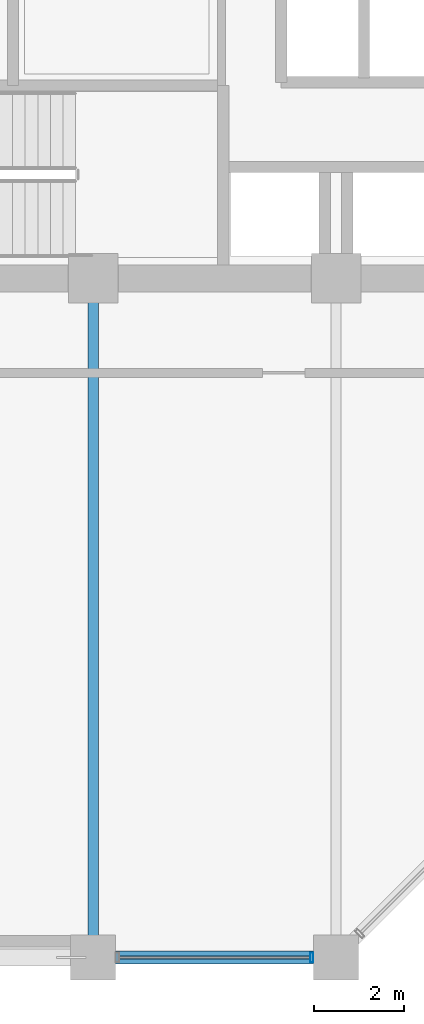
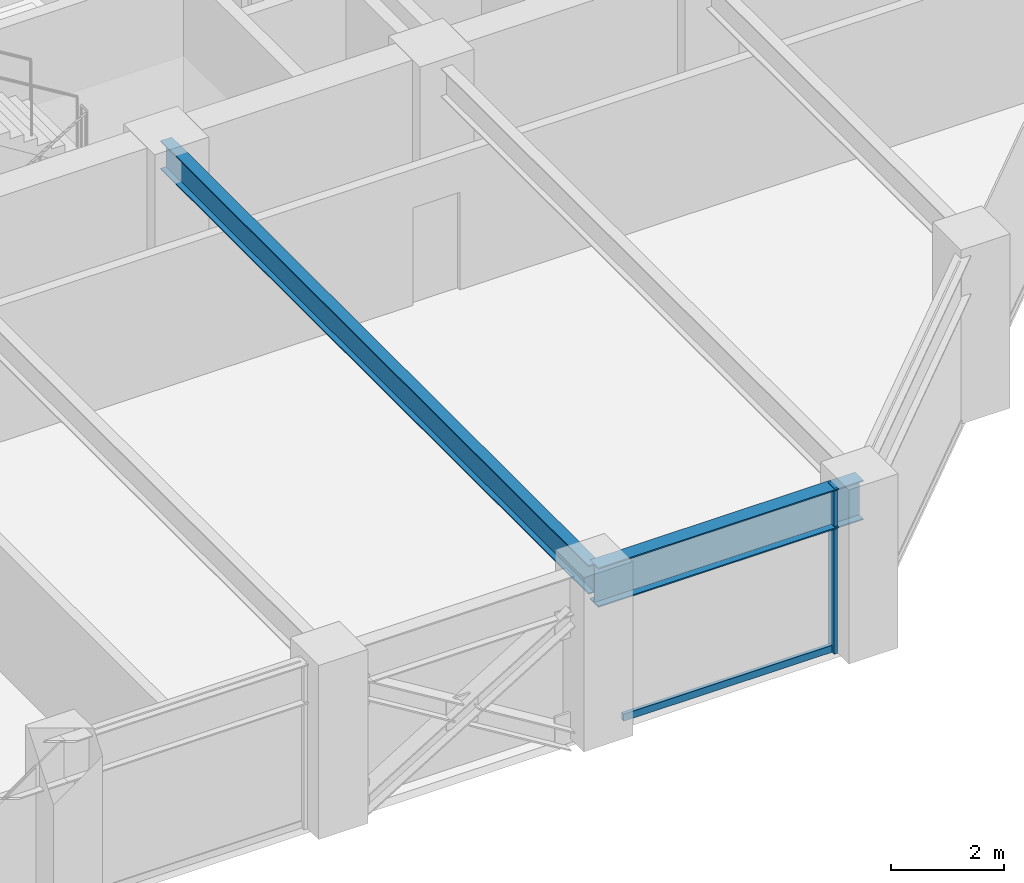
# One storey, part 5 of 23: 2 beams, 2 members, 1 element without a shape of its own.
"""IFC4 building model written with IfcOpenShell, lengths in metres."""

from ifc_helpers import new_model, si_unit, direction, frame, origin, origin_2d, place, context, subcontext, project, spatial, hollow_rectangle, i_section, extrude, material, layer, layer_set, material_profile, profile_set, type_object, element, aggregate, save


model = new_model("IFC4")

# Units and contexts
model_context = context("Model", 3, precision=1e-05, world=origin(), true_north=direction((0.0, 1.0)))
body_context = subcontext(model_context, "Body", "Model", "MODEL_VIEW")
ifc_project = project(units=[si_unit("LENGTHUNIT", "METRE"), si_unit("AREAUNIT", "SQUARE_METRE"), si_unit("VOLUMEUNIT", "CUBIC_METRE"), si_unit("PLANEANGLEUNIT", "RADIAN"), si_unit("MASSUNIT", "GRAM", prefix="KILO")], contexts=[model_context])

# Site, building, storey
site_placement = place(None, origin())
site = spatial("IfcSite", under=ifc_project, at=site_placement, CompositionType="ELEMENT")
building_placement = place(site_placement, origin())
building = spatial("IfcBuilding", under=site, at=building_placement, Name="Surkhivell Harbour Commons", CompositionType="ELEMENT")
storey_placement = place(building_placement, frame((0.0, 0.0, 132.0)))
storey = spatial("IfcBuildingStorey", under=building, at=storey_placement, Name="L34", CompositionType="ELEMENT", Elevation=132.0)

# Beams
ifc_material_1 = material(Name="Steel S355", Category="steel")
ifc_material_profile_1 = material_profile(ifc_material_1, i_section(OverallWidth=0.22998046875, OverallDepth=0.616943359375, WebThickness=0.01318359375, FlangeThickness=0.022216796875, at=origin_2d()), Name="UB610x229x140")
ifc_profile_set_1 = profile_set([ifc_material_profile_1], Name="Steel S355")
beam_type_1 = type_object("IfcBeamType", Name="BM-GRD-610B", PredefinedType="BEAM", material=ifc_profile_set_1)
beam_1_placement = place(storey_placement, frame((-5.39990234375, -25.89990234375, 3.261474609375), z_axis=(0.0, 1.0, 0.0), x_axis=(-1.0, 0.0, 0.0)))
element("IfcBeam", 1, at=beam_1_placement, inside=storey, type_object=beam_type_1, Name="L34 Floor Girder (-5.4,-25.9)", PredefinedType="BEAM", context=body_context, shape_type="SweptSolid", body=[
    extrude(i_section(OverallWidth=0.22998046875, OverallDepth=0.616943359375, WebThickness=0.01318359375, FlangeThickness=0.022216796875, at=origin_2d()), origin(), (0.0, 0.0, 1.0), 15.099853515625),
])
ifc_material_2 = material(Name="Steel S460", Category="steel")
ifc_material_profile_2 = material_profile(ifc_material_2, i_section(OverallWidth=0.2939453125, OverallDepth=0.85107421875, WebThickness=0.01611328125, FlangeThickness=0.02685546875, at=origin_2d()), Name="UB838x292x226")
ifc_profile_set_2 = profile_set([ifc_material_profile_2], Name="Steel S460")
beam_type_2 = type_object("IfcBeamType", Name="BM-SPN-838", PredefinedType="SPANDREL", material=ifc_profile_set_2)
beam_2_placement = place(storey_placement, frame((-5.39990234375, -25.89990234375, 3.14453125), z_axis=(1.0, 0.0, 0.0), x_axis=(0.0, 1.0, 0.0)))
element("IfcBeam", 2, at=beam_2_placement, inside=storey, type_object=beam_type_2, Name="L34 Tube Spandrel (-5.4,-25.9)", PredefinedType="SPANDREL", context=body_context, shape_type="SweptSolid", body=[
    extrude(i_section(OverallWidth=0.2939453125, OverallDepth=0.85107421875, WebThickness=0.01611328125, FlangeThickness=0.02685546875, at=origin_2d()), origin(), (0.0, 0.0, 1.0), 5.39990234375),
])

# Curtain wall, members
ifc_material_3 = material(Name="Anodised pale-metal aluminium and insulated glazing", Category="aluminium")
ifc_layer = layer(ifc_material_3, 0.205078125)
ifc_layer_set = layer_set([ifc_layer], Name="Anodised pale-metal aluminium and insulated glazing")
curtain_wall_type = type_object("IfcCurtainWallType", Name="CW-SYS-Z2", PredefinedType="NOTDEFINED", material=ifc_layer_set)
curtain_wall_placement = place(storey_placement, origin())
curtain_wall = element("IfcCurtainWall", 3, at=curtain_wall_placement, inside=storey, type_object=curtain_wall_type, Name="L34 Curtain Wall CW-L34-E00S2", PredefinedType="NOTDEFINED")
ifc_material_4 = material(Name="Anodised pale-metal aluminium alloy 6063-T6", Category="aluminium")
ifc_material_profile_3 = material_profile(ifc_material_4, hollow_rectangle(XDim=0.074951171875, YDim=0.219970703125, WallThickness=0.00390625, at=origin_2d()), Name="ALU-MULL-75x220")
ifc_profile_set_3 = profile_set([ifc_material_profile_3], Name="Anodised pale-metal aluminium alloy 6063-T6")
member_type_1 = type_object("IfcMemberType", Name="CWM-220", PredefinedType="MULLION", material=ifc_profile_set_3)
member_1_placement = place(storey_placement, frame((-0.53955078125, -25.89990234375, 0.0), z_axis=(0.0, 0.0, 1.0), x_axis=(1.0, 0.0, 0.0)))
member_1 = element("IfcMember", 4, at=member_1_placement, type_object=member_type_1, Name="CW-Z2 mullion 2", PredefinedType="MULLION", context=body_context, shape_type="SweptSolid", body=[
    extrude(hollow_rectangle(XDim=0.074951171875, YDim=0.219970703125, WallThickness=0.00390625, at=origin_2d()), origin(), (0.0, 0.0, 1.0), 3.570068359375),
])
ifc_material_profile_4 = material_profile(ifc_material_4, hollow_rectangle(XDim=0.074951171875, YDim=0.14990234375, WallThickness=0.00341796875, at=origin_2d()), Name="ALU-TRAN-75x150")
ifc_profile_set_4 = profile_set([ifc_material_profile_4], Name="Anodised pale-metal aluminium alloy 6063-T6")
member_type_2 = type_object("IfcMemberType", Name="CWT-150", PredefinedType="USERDEFINED", material=ifc_profile_set_4)
member_2_placement = place(storey_placement, frame((-4.822998046875, -25.89990234375, 0.074951171875), z_axis=(1.0, 0.0, 0.0), x_axis=(0.0, 1.0, 0.0)))
member_2 = element("IfcMember", 5, at=member_2_placement, type_object=member_type_2, Name="CW-Z2 transom 1.1", ObjectType="TRANSOM", PredefinedType="USERDEFINED", context=body_context, shape_type="SweptSolid", body=[
    extrude(hollow_rectangle(XDim=0.074951171875, YDim=0.14990234375, WallThickness=0.00341796875, at=origin_2d()), origin(), (0.0, 0.0, 1.0), 4.24609375),
])
aggregate(curtain_wall, [member_1, member_2])

save(model, "model.ifc")
